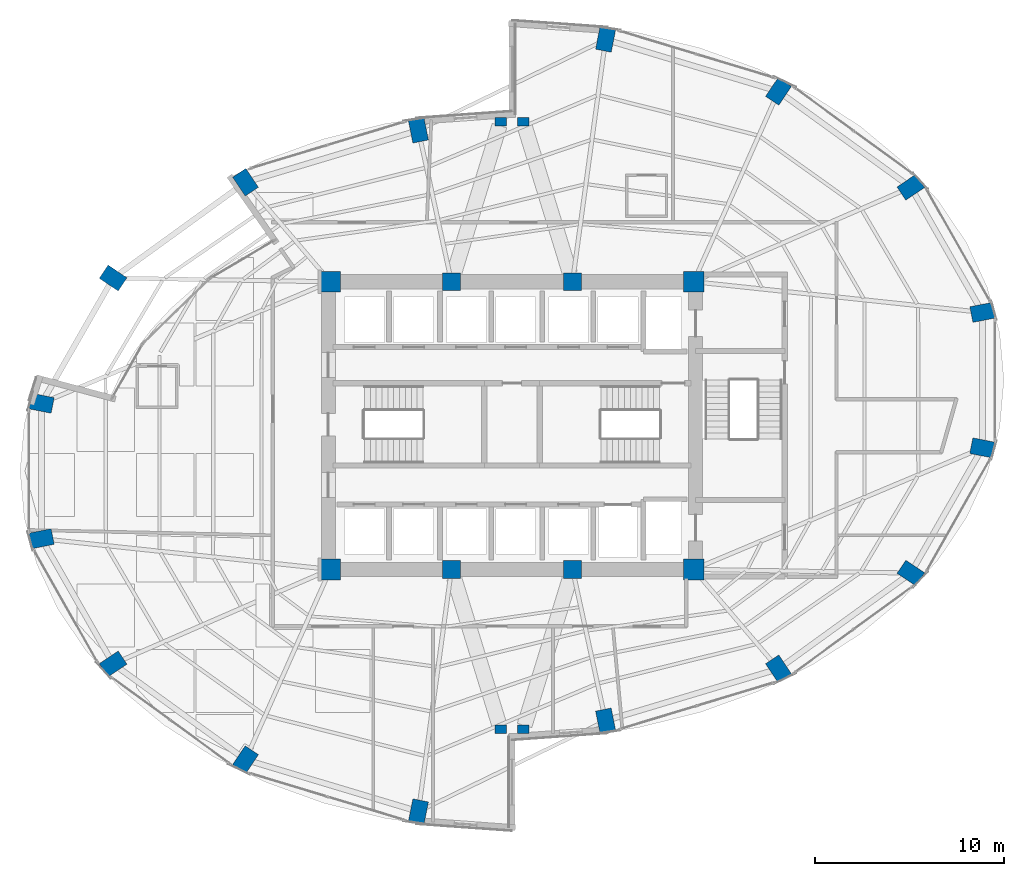
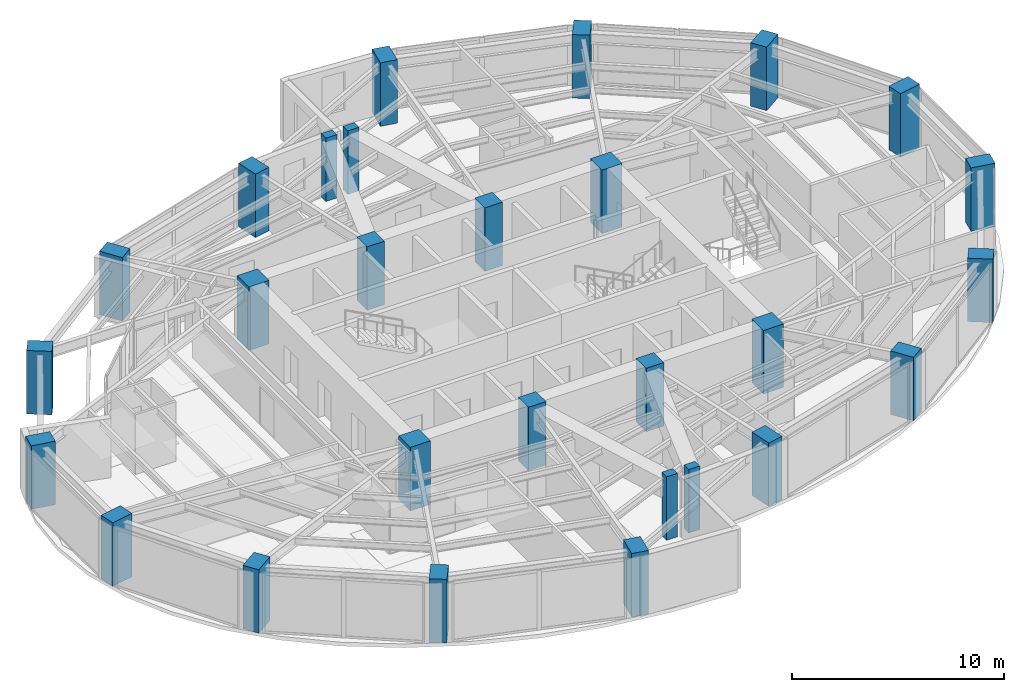
# One storey, part 1 of 24: 28 columns.
"""IFC4 building model written with IfcOpenShell, lengths in metres."""

from ifc_helpers import new_model, si_unit, direction, frame, origin, origin_2d, place, context, subcontext, project, spatial, rectangle, extrude, material, material_profile, profile_set, type_object, element, save


model = new_model("IFC4")

# Units and contexts
model_context = context("Model", 3, precision=1e-05, world=origin(), true_north=direction((0.0, 1.0)))
body_context = subcontext(model_context, "Body", "Model", "MODEL_VIEW")
ifc_project = project(units=[si_unit("LENGTHUNIT", "METRE"), si_unit("AREAUNIT", "SQUARE_METRE"), si_unit("VOLUMEUNIT", "CUBIC_METRE"), si_unit("PLANEANGLEUNIT", "RADIAN"), si_unit("MASSUNIT", "GRAM", prefix="KILO")], contexts=[model_context])

# Site, building, storey
site_placement = place(None, origin())
site = spatial("IfcSite", under=ifc_project, at=site_placement, CompositionType="ELEMENT")
building_placement = place(site_placement, origin())
building = spatial("IfcBuilding", under=site, at=building_placement, Name="Lazwardi Medical Tower", CompositionType="ELEMENT")
storey_placement = place(building_placement, frame((0.0, 0.0, 118.22412109375)))
storey = spatial("IfcBuildingStorey", under=building, at=storey_placement, Name="L30", CompositionType="ELEMENT", Elevation=118.22412109375)

# Columns
ifc_material_1 = material(Name="Concrete C80/95", Category="concrete")
ifc_material_profile_1 = material_profile(ifc_material_1, rectangle(XDim=1.10009765625, YDim=1.10009765625, at=origin_2d()), Name="RC 1100x1100")
ifc_profile_set_1 = profile_set([ifc_material_profile_1], Name="Concrete C80/95")
column_type_1 = type_object("IfcColumnType", Name="COL-CC-L", PredefinedType="COLUMN", material=ifc_profile_set_1)
for number, where, z_axis, x_axis, name in (
    (1, (26.39990234375, 20.39990234375, 0.0), (0.0, 0.0, 1.0), (1.0, 0.0, 0.0), "Core column CC-01 CC1 L30"),
    (2, (45.60009765625, 20.39990234375, 0.0), (0.0, 0.0, 1.0), (1.0, 0.0, 0.0), "Core column CC-01 CC4 L30"),
    (3, (45.60009765625, 35.60009765625, 0.0), (0.0, 0.0, 1.0), (1.0, 0.0, 0.0), "Core column CC-01 CC5 L30"),
    (4, (26.39990234375, 35.60009765625, 0.0), (0.0, 0.0, 1.0), (1.0, 0.0, 0.0), "Core column CC-01 CC8 L30"),
):
    element("IfcColumn", number, at=place(storey_placement, frame(where, z_axis=z_axis, x_axis=x_axis)), inside=storey, type_object=column_type_1, Name=name, PredefinedType="COLUMN", context=body_context, shape_type="SweptSolid", body=[
        extrude(rectangle(XDim=1.10009765625, YDim=1.10009765625, at=origin_2d()), origin(), (0.0, 0.0, 1.0), 3.64794921875),
    ])
ifc_material_2 = material(Name="Concrete C70/85", Category="concrete")
ifc_material_profile_2 = material_profile(ifc_material_2, rectangle(XDim=0.949951171875, YDim=0.949951171875, at=origin_2d()), Name="RC 950x950")
ifc_profile_set_2 = profile_set([ifc_material_profile_2], Name="Concrete C70/85")
column_type_2 = type_object("IfcColumnType", Name="COL-CC-M", PredefinedType="COLUMN", material=ifc_profile_set_2)
for number, where, z_axis, x_axis, name in (
    (5, (32.800048828125, 20.39990234375, 0.0), (0.0, 0.0, 1.0), (1.0, 0.0, 0.0), "Core column CC-02 CC2 L30"),
    (6, (39.199951171875, 20.39990234375, 0.0), (0.0, 0.0, 1.0), (1.0, 0.0, 0.0), "Core column CC-02 CC3 L30"),
    (7, (39.199951171875, 35.60009765625, 0.0), (0.0, 0.0, 1.0), (1.0, 0.0, 0.0), "Core column CC-02 CC6 L30"),
    (8, (32.800048828125, 35.60009765625, 0.0), (0.0, 0.0, 1.0), (1.0, 0.0, 0.0), "Core column CC-02 CC7 L30"),
):
    element("IfcColumn", number, at=place(storey_placement, frame(where, z_axis=z_axis, x_axis=x_axis)), inside=storey, type_object=column_type_2, Name=name, PredefinedType="COLUMN", context=body_context, shape_type="SweptSolid", body=[
        extrude(rectangle(XDim=0.949951171875, YDim=0.949951171875, at=origin_2d()), origin(), (0.0, 0.0, 1.0), 3.64794921875),
    ])
ifc_material_profile_3 = material_profile(ifc_material_2, rectangle(XDim=1.199951171875, YDim=0.840087890625, at=origin_2d()), Name="CFT-RECT 1200x840")
ifc_profile_set_3 = profile_set([ifc_material_profile_3], Name="Concrete C70/85")
column_type_3 = type_object("IfcColumnType", Name="COL-MC-Z2", PredefinedType="COLUMN", material=ifc_profile_set_3)
for number, where, z_axis, x_axis, name in (
    (9, (40.945556640625, 12.402587890625, 0.0), (0.0, 0.0, 1.0), (0.195090322016, -0.980785280403, 0.0), "Mega column MC-04 M01 L30"),
    (10, (50.083740234375, 15.142578125, 0.0), (0.0, 0.0, 1.0), (0.55557023302, -0.831469612303, 0.0), "Mega column MC-04 M02 L30"),
    (11, (57.077880859375, 20.205322265625, 0.0), (0.0, 0.0, 1.0), (0.831469612303, -0.55557023302, 0.0), "Mega column MC-04 M03 L30"),
    (12, (60.86279296875, 26.820068359375, 0.0), (0.0, 0.0, 1.0), (0.980785280403, -0.195090322016, 0.0), "Mega column MC-04 M04 L30"),
    (13, (60.86279296875, 33.97998046875, 0.0), (0.0, 0.0, 1.0), (0.980785280403, 0.195090322016, 0.0), "Mega column MC-04 M05 L30"),
    (14, (57.077880859375, 40.5947265625, 0.0), (0.0, 0.0, 1.0), (0.831469612303, 0.55557023302, 0.0), "Mega column MC-04 M06 L30"),
    (15, (50.083740234375, 45.657470703125, 0.0), (0.0, 0.0, 1.0), (0.55557023302, 0.831469612303, 0.0), "Mega column MC-04 M07 L30"),
    (16, (40.945556640625, 48.3974609375, 0.0), (0.0, 0.0, 1.0), (0.195090322016, 0.980785280403, 0.0), "Mega column MC-04 M08 L30"),
    (17, (31.054443359375, 43.597412109375, 0.0), (0.0, 0.0, 1.0), (-0.195090322016, 0.980785280403, 0.0), "Mega column MC-04 M09 L30"),
    (18, (21.916259765625, 40.857421875, 0.0), (0.0, 0.0, 1.0), (-0.55557023302, 0.831469612303, 0.0), "Mega column MC-04 M10 L30"),
    (19, (14.922119140625, 35.794677734375, 0.0), (0.0, 0.0, 1.0), (-0.831469612303, 0.55557023302, 0.0), "Mega column MC-04 M11 L30"),
    (20, (11.13720703125, 29.179931640625, 0.0), (0.0, 0.0, 1.0), (-0.980785280403, 0.195090322016, 0.0), "Mega column MC-04 M12 L30"),
    (21, (11.13720703125, 22.02001953125, 0.0), (0.0, 0.0, 1.0), (-0.980785280403, -0.195090322016, 0.0), "Mega column MC-04 M13 L30"),
    (22, (14.922119140625, 15.4052734375, 0.0), (0.0, 0.0, 1.0), (-0.831469612303, -0.55557023302, 0.0), "Mega column MC-04 M14 L30"),
    (23, (21.916259765625, 10.342529296875, 0.0), (0.0, 0.0, 1.0), (-0.55557023302, -0.831469612303, 0.0), "Mega column MC-04 M15 L30"),
    (24, (31.054443359375, 7.6025390625, 0.0), (0.0, 0.0, 1.0), (-0.195090322016, -0.980785280403, 0.0), "Mega column MC-04 M16 L30"),
):
    element("IfcColumn", number, at=place(storey_placement, frame(where, z_axis=z_axis, x_axis=x_axis)), inside=storey, type_object=column_type_3, Name=name, PredefinedType="COLUMN", context=body_context, shape_type="SweptSolid", body=[
        extrude(rectangle(XDim=1.199951171875, YDim=0.840087890625, at=origin_2d()), origin(), (0.0, 0.0, 1.0), 3.64794921875),
    ])
ifc_material_3 = material(Name="Concrete C60/75", Category="concrete")
ifc_material_profile_4 = material_profile(ifc_material_3, rectangle(XDim=0.60009765625, YDim=0.449951171875, at=origin_2d()), Name="RC 600x450")
ifc_profile_set_4 = profile_set([ifc_material_profile_4], Name="Concrete C60/75")
column_type_4 = type_object("IfcColumnType", Name="COL-PL-IW", PredefinedType="PILASTER", material=ifc_profile_set_4)
for number, where, z_axis, x_axis, name in (
    (25, (35.39990234375, 44.050048828125, 0.0), (0.0, 0.0, 1.0), (1.0, 0.0, 0.0), "Iwan pilaster column PL-C1 PL1 L30"),
    (26, (36.60009765625, 44.050048828125, 0.0), (0.0, 0.0, 1.0), (1.0, 0.0, 0.0), "Iwan pilaster column PL-C1 PL2 L30"),
    (27, (35.39990234375, 11.949951171875, 0.0), (0.0, 0.0, 1.0), (1.0, 0.0, 0.0), "Iwan pilaster column PL-C1 PL3 L30"),
    (28, (36.60009765625, 11.949951171875, 0.0), (0.0, 0.0, 1.0), (1.0, 0.0, 0.0), "Iwan pilaster column PL-C1 PL4 L30"),
):
    element("IfcColumn", number, at=place(storey_placement, frame(where, z_axis=z_axis, x_axis=x_axis)), inside=storey, type_object=column_type_4, Name=name, PredefinedType="PILASTER", context=body_context, shape_type="SweptSolid", body=[
        extrude(rectangle(XDim=0.60009765625, YDim=0.449951171875, at=origin_2d()), origin(), (0.0, 0.0, 1.0), 3.64794921875),
    ])

save(model, "model.ifc")
